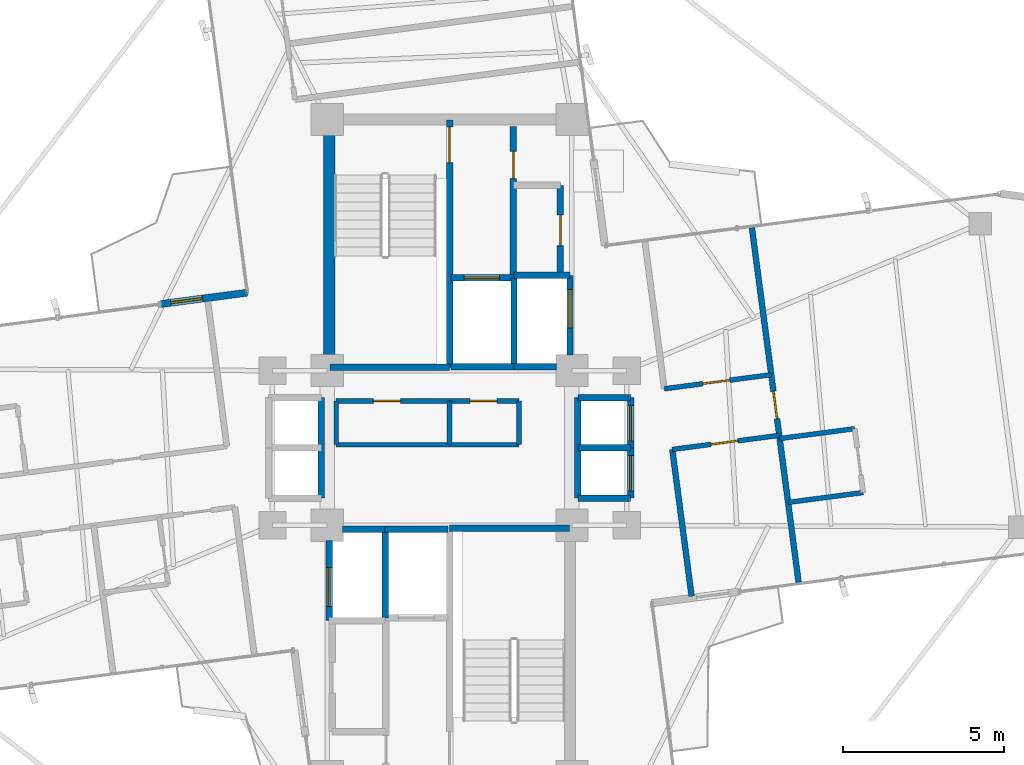
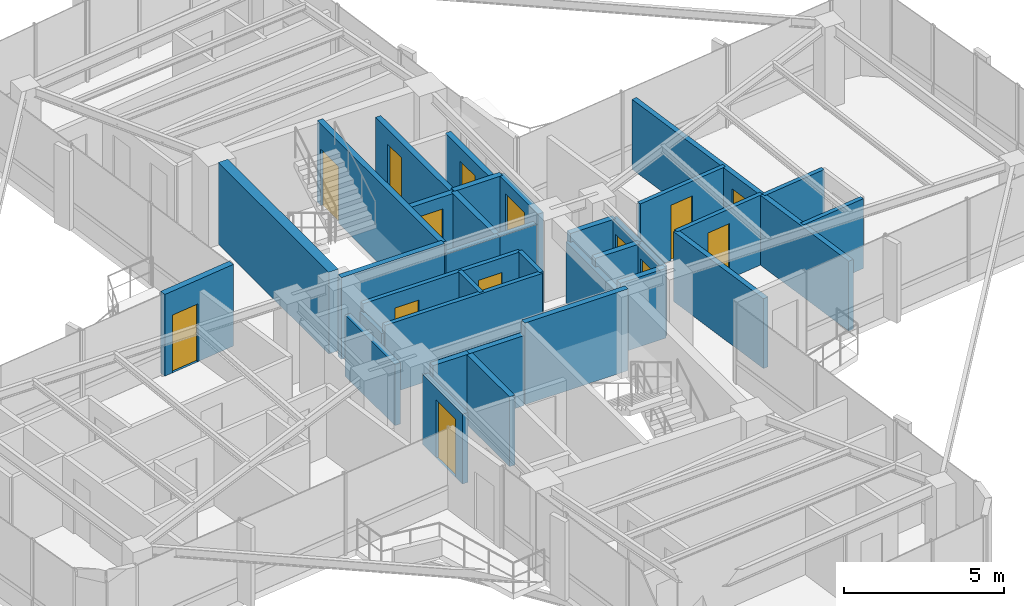
# One storey, part 20 of 22: 35 walls, 14 doors, 14 openings.
"""IFC4 building model written with IfcOpenShell, lengths in metres."""

from ifc_helpers import new_model, si_unit, direction, frame, frame_2d, origin, origin_2d, place, context, subcontext, project, spatial, rectangle, extrude, source, transform, mapped, material, layer, layer_set, type_object, element, fill, save


model = new_model("IFC4")

# Units and contexts
model_context = context("Model", 3, precision=1e-05, world=origin(), true_north=direction((0.0, 1.0)))
body_context = subcontext(model_context, "Body", "Model", "MODEL_VIEW")
ifc_project = project(units=[si_unit("LENGTHUNIT", "METRE"), si_unit("AREAUNIT", "SQUARE_METRE"), si_unit("VOLUMEUNIT", "CUBIC_METRE"), si_unit("PLANEANGLEUNIT", "RADIAN"), si_unit("MASSUNIT", "GRAM", prefix="KILO")], contexts=[model_context])

# Site, building, storey
site_placement = place(None, origin())
site = spatial("IfcSite", under=ifc_project, at=site_placement, CompositionType="ELEMENT")
building_placement = place(site_placement, origin())
building = spatial("IfcBuilding", under=site, at=building_placement, Name="Sahyath Konkavel Grand Hotel", CompositionType="ELEMENT")
storey_placement = place(building_placement, frame((0.0, 0.0, 257.89990234375)))
storey = spatial("IfcBuildingStorey", under=building, at=storey_placement, Name="L72", CompositionType="ELEMENT", Elevation=257.89990234375)

# Wall
ifc_material_1 = material(Name="Concrete C40/50", Category="concrete")
ifc_layer_1 = layer(ifc_material_1, 0.35009765625)
ifc_layer_set_1 = layer_set([ifc_layer_1], Name="Concrete C40/50")
wall_type_1 = type_object("IfcWallType", Name="CWALL-350", PredefinedType="SHEAR", material=ifc_layer_set_1)
wall_1_placement = place(storey_placement, frame((-3.739990234375, 2.85009765625, 0.0), z_axis=(0.0, 0.0, 1.0), x_axis=(0.0, 1.0, 0.0)))
element("IfcWall", 1, at=wall_1_placement, inside=storey, type_object=wall_type_1, Name="L72 North Core Shear Wall W", PredefinedType="SHEAR", context=body_context, shape_type="SweptSolid", body=[
    extrude(rectangle(XDim=6.89990234375, YDim=0.35009765625, at=frame_2d((3.449951171875, 0.0))), origin(), (0.0, 0.0, 1.0), 3.110107421875),
])

# Wall, opening, door
ifc_material_2 = material(Name="Warm Buff Sandstone Insulated Concrete C40/50", Category="masonry")
ifc_layer_2 = layer(ifc_material_2, 0.219970703125)
ifc_layer_set_2 = layer_set([ifc_layer_2], Name="Warm Buff Sandstone Insulated Concrete C40/50")
wall_type_2 = type_object("IfcWallType", Name="WLL-BALC-THRESH", PredefinedType="STANDARD", material=ifc_layer_set_2)
wall_2_placement = place(storey_placement, frame((-6.282958984375, 4.821044921875, 0.0), z_axis=(0.0, 0.0, 1.0), x_axis=(-0.991451525486, -0.130475563272, 0.0)))
wall_2 = element("IfcWall", 2, at=wall_2_placement, inside=storey, type_object=wall_type_2, Name="L72 Winter-Garden Threshold Wall 16", PredefinedType="STANDARD", context=body_context, shape_type="SweptSolid", body=[
    extrude(rectangle(XDim=2.7001953125, YDim=0.219970703125, at=frame_2d((1.35009765625, 0.0))), origin(), (0.0, 0.0, 1.0), 3.110107421875),
])
opening_1_placement = place(wall_2_placement, frame((1.39990234375, 0.0, 0.0)))
opening_1 = element("IfcOpeningElement", 3, at=opening_1_placement, cuts=wall_2, Name="Opening D-TR1", PredefinedType="OPENING", context=body_context, shape_type="SweptSolid", body=[
    extrude(rectangle(XDim=1.0, YDim=2.199951171875, at=frame_2d((0.5, 1.10009765625))), frame((0.0, 0.1201171875, 0.0), z_axis=(0.0, -1.0, 0.0), x_axis=(1.0, 0.0, 0.0)), (0.0, 0.0, 1.0), 0.239990234375),
])
ifc_material_3 = material(Name="Anodised Bronze Aluminium & Low-E Glazing", Category="aluminium")
door_type_1 = type_object("IfcDoorType", Name="DR-TERRACE-1000", OperationType="NOTDEFINED", PredefinedType="DOOR", material=ifc_material_3)
shared_shape_1 = source(origin(), body_context, "Body", "SweptSolid", [
    extrude(rectangle(XDim=1.0, YDim=0.050048828125, at=origin_2d()), origin(), (0.0, 0.0, 1.0), 2.199951171875),
])
door_1_placement = place(opening_1_placement, frame((0.5, 0.0, 0.0)))
door_1 = element("IfcDoor", 4, at=door_1_placement, inside=storey, type_object=door_type_1, Name="L72 Winter-Garden Terrace Door 16", OperationType="SINGLE_SWING_LEFT", OverallHeight=2.199951171875, OverallWidth=1.0, PredefinedType="DOOR", context=body_context, shape_type="MappedRepresentation", body=[
    mapped(shared_shape_1, transform((0.0, 0.0, 0.0), scale=1.0)),
])
fill(opening_1, door_1)

ifc_layer_3 = layer(ifc_material_1, 0.199951171875)
ifc_layer_set_3 = layer_set([ifc_layer_3], Name="Concrete C40/50")
wall_type_3 = type_object("IfcWallType", Name="WLL-CORE-200", PredefinedType="SOLIDWALL", material=ifc_layer_set_3)
wall_3_placement = place(storey_placement, frame((0.0, 2.5, 0.0), z_axis=(0.0, 0.0, 1.0), x_axis=(0.0, 1.0, 0.0)))
wall_3 = element("IfcWall", 5, at=wall_3_placement, inside=storey, type_object=wall_type_3, Name="L72 Stair ST-1 Shaft Wall E", PredefinedType="SOLIDWALL", context=body_context, shape_type="SweptSolid", body=[
    extrude(rectangle(XDim=7.679931640625, YDim=0.199951171875, at=frame_2d((3.83984375, 0.0))), origin(), (0.0, 0.0, 1.0), 3.110107421875),
])
opening_2_placement = place(wall_3_placement, frame((6.360107421875, 0.0, 0.0)))
opening_2 = element("IfcOpeningElement", 6, at=opening_2_placement, cuts=wall_3, Name="Opening D-F12B", PredefinedType="OPENING", context=body_context, shape_type="SweptSolid", body=[
    extrude(rectangle(XDim=1.10009765625, YDim=2.14990234375, at=frame_2d((0.550048828125, 1.074951171875))), frame((0.0, 0.10986328125, 0.0), z_axis=(0.0, -1.0, 0.0), x_axis=(1.0, 0.0, 0.0)), (0.0, 0.0, 1.0), 0.219970703125),
])
ifc_material_4 = material(Name="Steel E350 Smokeproof Fire Door", Category="steel")
door_type_2 = type_object("IfcDoorType", Name="DR-FD120-1100", OperationType="NOTDEFINED", PredefinedType="DOOR", material=ifc_material_4)
shared_shape_2 = source(origin(), body_context, "Body", "SweptSolid", [
    extrude(rectangle(XDim=1.10009765625, YDim=0.050048828125, at=origin_2d()), origin(), (0.0, 0.0, 1.0), 2.14990234375),
])
door_2_placement = place(opening_2_placement, frame((0.550048828125, 0.0, 0.0)))
door_2 = element("IfcDoor", 7, at=door_2_placement, inside=storey, type_object=door_type_2, Name="L72 Stair ST-1 Fire Door", OperationType="SINGLE_SWING_RIGHT", OverallHeight=2.14990234375, OverallWidth=1.10009765625, PredefinedType="DOOR", context=body_context, shape_type="MappedRepresentation", body=[
    mapped(shared_shape_2, transform((0.0, 0.0, 0.0), scale=1.0)),
])
fill(opening_2, door_2)

# Walls
for number, where, z_axis, x_axis, name in (
    (8, (-3.719970703125, 2.5, 0.0), (0.0, 0.0, 1.0), (1.0, 0.0, 0.0), "L72 Stair ST-1 Shaft Wall S"),
    (9, (0.0, -2.5, 0.0), (0.0, 0.0, 1.0), (1.0, 0.0, 0.0), "L72 Stair ST-2 Shaft Wall N"),
):
    element("IfcWall", number, at=place(storey_placement, frame(where, z_axis=z_axis, x_axis=x_axis)), inside=storey, type_object=wall_type_3, Name=name, PredefinedType="SOLIDWALL", context=body_context, shape_type="SweptSolid", body=[
        extrude(rectangle(XDim=3.719970703125, YDim=0.199951171875, at=frame_2d((1.85986328125, 0.0))), origin(), (0.0, 0.0, 1.0), 3.110107421875),
    ])

# Wall, opening, door
wall_4_placement = place(storey_placement, frame((1.97998046875, 5.320068359375, 0.0), z_axis=(0.0, 0.0, 1.0), x_axis=(0.0, 1.0, 0.0)))
wall_4 = element("IfcWall", 10, at=wall_4_placement, inside=storey, type_object=wall_type_3, Name="L72 North Firefighting Lobby Wall E", PredefinedType="SOLIDWALL", context=body_context, shape_type="SweptSolid", body=[
    extrude(rectangle(XDim=4.659912109375, YDim=0.199951171875, at=frame_2d((2.330078125, 0.0))), origin(), (0.0, 0.0, 1.0), 2.66015625),
])
opening_3_placement = place(wall_4_placement, frame((3.0400390625, 0.0, 0.0)))
opening_3 = element("IfcOpeningElement", 11, at=opening_3_placement, cuts=wall_4, Name="Opening D-F12D", PredefinedType="OPENING", context=body_context, shape_type="SweptSolid", body=[
    extrude(rectangle(XDim=0.85009765625, YDim=2.10009765625, at=frame_2d((0.425048828125, 1.050048828125))), frame((0.0, 0.10986328125, 0.0), z_axis=(0.0, -1.0, 0.0), x_axis=(1.0, 0.0, 0.0)), (0.0, 0.0, 1.0), 0.219970703125),
])
ifc_material_5 = material(Name="Steel E350 Core Fire Door", Category="steel")
door_type_3 = type_object("IfcDoorType", Name="DR-FD120-850", OperationType="NOTDEFINED", PredefinedType="DOOR", material=ifc_material_5)
shared_shape_3 = source(origin(), body_context, "Body", "SweptSolid", [
    extrude(rectangle(XDim=0.85009765625, YDim=0.050048828125, at=origin_2d()), origin(), (0.0, 0.0, 1.0), 2.10009765625),
])
door_3_placement = place(opening_3_placement, frame((0.425048828125, 0.0, 0.0)))
door_3 = element("IfcDoor", 12, at=door_3_placement, inside=storey, type_object=door_type_3, Name="L72 North Firefighting Lobby Door", OperationType="SINGLE_SWING_RIGHT", OverallHeight=2.10009765625, OverallWidth=0.85009765625, PredefinedType="DOOR", context=body_context, shape_type="MappedRepresentation", body=[
    mapped(shared_shape_3, transform((0.0, 0.0, 0.0), scale=1.0)),
])
fill(opening_3, door_3)

# Walls
wall_5_placement = place(storey_placement, frame((2.0, 2.5, 0.0), z_axis=(0.0, 0.0, 1.0), x_axis=(0.0, 1.0, 0.0)))
element("IfcWall", 13, at=wall_5_placement, inside=storey, type_object=wall_type_3, Name="L72 Partition SH-FFL1-E", PredefinedType="SOLIDWALL", context=body_context, shape_type="SweptSolid", body=[
    extrude(rectangle(XDim=2.780029296875, YDim=0.199951171875, at=frame_2d((1.39013671875, 0.0))), origin(), (0.0, 0.0, 1.0), 2.66015625),
])
wall_6_placement = place(storey_placement, frame((0.050048828125, 2.52001953125, 0.0), z_axis=(0.0, 0.0, 1.0), x_axis=(1.0, 0.0, 0.0)))
element("IfcWall", 14, at=wall_6_placement, inside=storey, type_object=wall_type_3, Name="L72 Partition SH-FFL1-S", PredefinedType="SOLIDWALL", context=body_context, shape_type="SweptSolid", body=[
    extrude(rectangle(XDim=1.949951171875, YDim=0.199951171875, at=frame_2d((0.97509765625, 0.0))), origin(), (0.0, 0.0, 1.0), 2.66015625),
])

# Wall, opening, door
wall_7_placement = place(storey_placement, frame((0.050048828125, 5.280029296875, 0.0), z_axis=(0.0, 0.0, 1.0), x_axis=(1.0, 0.0, 0.0)))
wall_7 = element("IfcWall", 15, at=wall_7_placement, inside=storey, type_object=wall_type_3, Name="L72 Partition SH-FFL1-N", PredefinedType="SOLIDWALL", context=body_context, shape_type="SweptSolid", body=[
    extrude(rectangle(XDim=1.929931640625, YDim=0.199951171875, at=frame_2d((0.96484375, 0.0))), origin(), (0.0, 0.0, 1.0), 2.66015625),
])
opening_4_placement = place(wall_7_placement, frame((0.39990234375, 0.0, 0.0)))
opening_4 = element("IfcOpeningElement", 16, at=opening_4_placement, cuts=wall_7, Name="Opening LD-11", PredefinedType="OPENING", context=body_context, shape_type="SweptSolid", body=[
    extrude(rectangle(XDim=1.10009765625, YDim=2.199951171875, at=frame_2d((0.550048828125, 1.10009765625))), frame((0.0, 0.10986328125, 0.0), z_axis=(0.0, -1.0, 0.0), x_axis=(1.0, 0.0, 0.0)), (0.0, 0.0, 1.0), 0.219970703125),
])
ifc_material_6 = material(Name="Bronze Lift Landing Door 1100")
door_type_4 = type_object("IfcDoorType", Name="DR-LIFT-1100", OperationType="DOUBLE_DOOR_SLIDING", PredefinedType="DOOR", material=ifc_material_6)
shared_shape_4 = source(origin(), body_context, "Body", "SweptSolid", [
    extrude(rectangle(XDim=1.10009765625, YDim=0.050048828125, at=origin_2d()), origin(), (0.0, 0.0, 1.0), 2.199951171875),
])
door_4_placement = place(opening_4_placement, frame((0.550048828125, 0.0, 0.0)))
door_4 = element("IfcDoor", 17, at=door_4_placement, inside=storey, type_object=door_type_4, Name="L72 Lift FFL-1 Landing Door", OperationType="DOUBLE_DOOR_SLIDING", OverallHeight=2.199951171875, OverallWidth=1.10009765625, PredefinedType="DOOR", context=body_context, shape_type="MappedRepresentation", body=[
    mapped(shared_shape_4, transform((0.0, 0.0, 0.0), scale=1.0)),
])
fill(opening_4, door_4)

# Walls
wall_8_placement = place(storey_placement, frame((-2.0, -5.280029296875, 0.0), z_axis=(0.0, 0.0, 1.0), x_axis=(0.0, 1.0, 0.0)))
element("IfcWall", 18, at=wall_8_placement, inside=storey, type_object=wall_type_3, Name="L72 Partition SH-FFL2-W", PredefinedType="SOLIDWALL", context=body_context, shape_type="SweptSolid", body=[
    extrude(rectangle(XDim=2.780029296875, YDim=0.199951171875, at=frame_2d((1.39013671875, 0.0))), origin(), (0.0, 0.0, 1.0), 2.66015625),
])
wall_9_placement = place(storey_placement, frame((-2.0, -2.52001953125, 0.0), z_axis=(0.0, 0.0, 1.0), x_axis=(1.0, 0.0, 0.0)))
element("IfcWall", 19, at=wall_9_placement, inside=storey, type_object=wall_type_3, Name="L72 Partition SH-FFL2-N", PredefinedType="SOLIDWALL", context=body_context, shape_type="SweptSolid", body=[
    extrude(rectangle(XDim=1.949951171875, YDim=0.199951171875, at=frame_2d((0.97509765625, 0.0))), origin(), (0.0, 0.0, 1.0), 2.66015625),
])
wall_10_placement = place(storey_placement, frame((2.0, 2.52001953125, 0.0), z_axis=(0.0, 0.0, 1.0), x_axis=(1.0, 0.0, 0.0)))
element("IfcWall", 20, at=wall_10_placement, inside=storey, type_object=wall_type_3, Name="L72 Partition SH-SVL1-S", PredefinedType="SOLIDWALL", context=body_context, shape_type="SweptSolid", body=[
    extrude(rectangle(XDim=1.320068359375, YDim=0.199951171875, at=frame_2d((0.66015625, 0.0))), origin(), (0.0, 0.0, 1.0), 2.66015625),
])
wall_11_placement = place(storey_placement, frame((2.0, 5.360107421875, 0.0), z_axis=(0.0, 0.0, 1.0), x_axis=(1.0, 0.0, 0.0)))
element("IfcWall", 21, at=wall_11_placement, inside=storey, type_object=wall_type_3, Name="L72 Partition SH-SVL1-N", PredefinedType="SOLIDWALL", context=body_context, shape_type="SweptSolid", body=[
    extrude(rectangle(XDim=1.739990234375, YDim=0.199951171875, at=frame_2d((0.8701171875, 0.0))), origin(), (0.0, 0.0, 1.0), 2.66015625),
])

# Wall, opening, door
wall_12_placement = place(storey_placement, frame((3.739990234375, 2.8798828125, 0.0), z_axis=(0.0, 0.0, 1.0), x_axis=(0.0, 1.0, 0.0)))
wall_12 = element("IfcWall", 22, at=wall_12_placement, inside=storey, type_object=wall_type_3, Name="L72 Partition SH-SVL1-E", PredefinedType="SOLIDWALL", context=body_context, shape_type="SweptSolid", body=[
    extrude(rectangle(XDim=2.480224609375, YDim=0.199951171875, at=frame_2d((1.240234375, 0.0))), origin(), (0.0, 0.0, 1.0), 2.66015625),
])
opening_5_placement = place(wall_12_placement, frame((0.840087890625, 0.0, 0.0)))
opening_5 = element("IfcOpeningElement", 23, at=opening_5_placement, cuts=wall_12, Name="Opening LD-12", PredefinedType="OPENING", context=body_context, shape_type="SweptSolid", body=[
    extrude(rectangle(XDim=1.199951171875, YDim=2.199951171875, at=frame_2d((0.60009765625, 1.10009765625))), frame((0.0, 0.10986328125, 0.0), z_axis=(0.0, -1.0, 0.0), x_axis=(1.0, 0.0, 0.0)), (0.0, 0.0, 1.0), 0.219970703125),
])
ifc_material_7 = material(Name="Stainless Steel Lift Landing Door 1200", Category="steel")
door_type_5 = type_object("IfcDoorType", Name="DR-LIFT-1200", OperationType="DOUBLE_DOOR_SLIDING", PredefinedType="DOOR", material=ifc_material_7)
shared_shape_5 = source(origin(), body_context, "Body", "SweptSolid", [
    extrude(rectangle(XDim=1.199951171875, YDim=0.050048828125, at=origin_2d()), origin(), (0.0, 0.0, 1.0), 2.199951171875),
])
door_5_placement = place(opening_5_placement, frame((0.60009765625, 0.0, 0.0)))
door_5 = element("IfcDoor", 24, at=door_5_placement, inside=storey, type_object=door_type_5, Name="L72 Service Lift SVL-1 Landing Door", OperationType="DOUBLE_DOOR_SLIDING", OverallHeight=2.199951171875, OverallWidth=1.199951171875, PredefinedType="DOOR", context=body_context, shape_type="MappedRepresentation", body=[
    mapped(shared_shape_5, transform((0.0, 0.0, 0.0), scale=1.0)),
])
fill(opening_5, door_5)

# Wall
wall_13_placement = place(storey_placement, frame((-3.320068359375, -2.52001953125, 0.0), z_axis=(0.0, 0.0, 1.0), x_axis=(1.0, 0.0, 0.0)))
element("IfcWall", 25, at=wall_13_placement, inside=storey, type_object=wall_type_3, Name="L72 Partition SH-SVL2-N", PredefinedType="SOLIDWALL", context=body_context, shape_type="SweptSolid", body=[
    extrude(rectangle(XDim=1.320068359375, YDim=0.199951171875, at=frame_2d((0.66015625, 0.0))), origin(), (0.0, 0.0, 1.0), 2.66015625),
])

# Wall, opening, door
wall_14_placement = place(storey_placement, frame((-3.739990234375, -5.360107421875, 0.0), z_axis=(0.0, 0.0, 1.0), x_axis=(0.0, 1.0, 0.0)))
wall_14 = element("IfcWall", 26, at=wall_14_placement, inside=storey, type_object=wall_type_3, Name="L72 Partition SH-SVL2-W", PredefinedType="SOLIDWALL", context=body_context, shape_type="SweptSolid", body=[
    extrude(rectangle(XDim=2.480224609375, YDim=0.199951171875, at=frame_2d((1.240234375, 0.0))), origin(), (0.0, 0.0, 1.0), 2.66015625),
])
opening_6_placement = place(wall_14_placement, frame((0.43994140625, 0.0, 0.0)))
opening_6 = element("IfcOpeningElement", 27, at=opening_6_placement, cuts=wall_14, Name="Opening LD-12", PredefinedType="OPENING", context=body_context, shape_type="SweptSolid", body=[
    extrude(rectangle(XDim=1.199951171875, YDim=2.199951171875, at=frame_2d((0.60009765625, 1.10009765625))), frame((0.0, 0.10986328125, 0.0), z_axis=(0.0, -1.0, 0.0), x_axis=(1.0, 0.0, 0.0)), (0.0, 0.0, 1.0), 0.219970703125),
])
door_6_placement = place(opening_6_placement, frame((0.60009765625, 0.0, 0.0)))
door_6 = element("IfcDoor", 28, at=door_6_placement, inside=storey, type_object=door_type_5, Name="L72 Service Lift SVL-2 Landing Door", OperationType="DOUBLE_DOOR_SLIDING", OverallHeight=2.199951171875, OverallWidth=1.199951171875, PredefinedType="DOOR", context=body_context, shape_type="MappedRepresentation", body=[
    mapped(shared_shape_5, transform((0.0, 0.0, 0.0), scale=1.0)),
])
fill(opening_6, door_6)

# Walls
wall_15_placement = place(storey_placement, frame((3.97998046875, -1.56005859375, 0.0), z_axis=(0.0, 0.0, 1.0), x_axis=(0.0, 1.0, 0.0)))
element("IfcWall", 29, at=wall_15_placement, inside=storey, type_object=wall_type_3, Name="L72 Partition SH-PL56-W", PredefinedType="SOLIDWALL", context=body_context, shape_type="SweptSolid", body=[
    extrude(rectangle(XDim=3.1201171875, YDim=0.199951171875, at=frame_2d((1.56005859375, 0.0))), origin(), (0.0, 0.0, 1.0), 2.330078125),
])
for number, where, z_axis, x_axis, name in (
    (30, (3.97998046875, 1.56005859375, 0.0), (0.0, 0.0, 1.0), (1.0, 0.0, 0.0), "L72 Partition SH-PL56-N"),
    (31, (3.97998046875, -1.56005859375, 0.0), (0.0, 0.0, 1.0), (1.0, 0.0, 0.0), "L72 Partition SH-PL56-S"),
    (32, (3.97998046875, 0.0, 0.0), (0.0, 0.0, 1.0), (1.0, 0.0, 0.0), "L72 Partition SH-PL56-M"),
):
    element("IfcWall", number, at=place(storey_placement, frame(where, z_axis=z_axis, x_axis=x_axis)), inside=storey, type_object=wall_type_3, Name=name, PredefinedType="SOLIDWALL", context=body_context, shape_type="SweptSolid", body=[
        extrude(rectangle(XDim=1.64013671875, YDim=0.199951171875, at=frame_2d((0.820068359375, 0.0))), origin(), (0.0, 0.0, 1.0), 2.66015625),
    ])

# Wall, opening, door
wall_16_placement = place(storey_placement, frame((5.6201171875, 0.0, 0.0), z_axis=(0.0, 0.0, 1.0), x_axis=(0.0, 1.0, 0.0)))
wall_16 = element("IfcWall", 33, at=wall_16_placement, inside=storey, type_object=wall_type_3, Name="L72 Partition SH-PL5-E", PredefinedType="SOLIDWALL", context=body_context, shape_type="SweptSolid", body=[
    extrude(rectangle(XDim=1.56005859375, YDim=0.199951171875, at=frame_2d((0.780029296875, 0.0))), origin(), (0.0, 0.0, 1.0), 2.66015625),
])
opening_7_placement = place(wall_16_placement, frame((0.219970703125, 0.0, 0.0)))
opening_7 = element("IfcOpeningElement", 34, at=opening_7_placement, cuts=wall_16, Name="Opening LD-11", PredefinedType="OPENING", context=body_context, shape_type="SweptSolid", body=[
    extrude(rectangle(XDim=1.10009765625, YDim=2.199951171875, at=frame_2d((0.550048828125, 1.10009765625))), frame((0.0, 0.10986328125, 0.0), z_axis=(0.0, -1.0, 0.0), x_axis=(1.0, 0.0, 0.0)), (0.0, 0.0, 1.0), 0.219970703125),
])
door_7_placement = place(opening_7_placement, frame((0.550048828125, 0.0, 0.0)))
door_7 = element("IfcDoor", 35, at=door_7_placement, inside=storey, type_object=door_type_4, Name="L72 High-Rise Lift PL-5 Landing Door", OperationType="DOUBLE_DOOR_SLIDING", OverallHeight=2.199951171875, OverallWidth=1.10009765625, PredefinedType="DOOR", context=body_context, shape_type="MappedRepresentation", body=[
    mapped(shared_shape_4, transform((0.0, 0.0, 0.0), scale=1.0)),
])
fill(opening_7, door_7)

wall_17_placement = place(storey_placement, frame((5.6201171875, -1.56005859375, 0.0), z_axis=(0.0, 0.0, 1.0), x_axis=(0.0, 1.0, 0.0)))
wall_17 = element("IfcWall", 36, at=wall_17_placement, inside=storey, type_object=wall_type_3, Name="L72 Partition SH-PL6-E", PredefinedType="SOLIDWALL", context=body_context, shape_type="SweptSolid", body=[
    extrude(rectangle(XDim=1.56005859375, YDim=0.199951171875, at=frame_2d((0.780029296875, 0.0))), origin(), (0.0, 0.0, 1.0), 2.66015625),
])
opening_8_placement = place(wall_17_placement, frame((0.219970703125, 0.0, 0.0)))
opening_8 = element("IfcOpeningElement", 37, at=opening_8_placement, cuts=wall_17, Name="Opening LD-11", PredefinedType="OPENING", context=body_context, shape_type="SweptSolid", body=[
    extrude(rectangle(XDim=1.10009765625, YDim=2.199951171875, at=frame_2d((0.550048828125, 1.10009765625))), frame((0.0, 0.10986328125, 0.0), z_axis=(0.0, -1.0, 0.0), x_axis=(1.0, 0.0, 0.0)), (0.0, 0.0, 1.0), 0.219970703125),
])
door_8_placement = place(opening_8_placement, frame((0.550048828125, 0.0, 0.0)))
door_8 = element("IfcDoor", 38, at=door_8_placement, inside=storey, type_object=door_type_4, Name="L72 High-Rise Lift PL-6 Landing Door", OperationType="DOUBLE_DOOR_SLIDING", OverallHeight=2.199951171875, OverallWidth=1.10009765625, PredefinedType="DOOR", context=body_context, shape_type="MappedRepresentation", body=[
    mapped(shared_shape_4, transform((0.0, 0.0, 0.0), scale=1.0)),
])
fill(opening_8, door_8)

# Wall
wall_18_placement = place(storey_placement, frame((-3.97998046875, -1.56005859375, 0.0), z_axis=(0.0, 0.0, 1.0), x_axis=(0.0, 1.0, 0.0)))
element("IfcWall", 39, at=wall_18_placement, inside=storey, type_object=wall_type_3, Name="L72 Partition SH-SL12-E", PredefinedType="SOLIDWALL", context=body_context, shape_type="SweptSolid", body=[
    extrude(rectangle(XDim=3.1201171875, YDim=0.199951171875, at=frame_2d((1.56005859375, 0.0))), origin(), (0.0, 0.0, 1.0), 2.330078125),
])

# Wall, opening, door
wall_19_placement = place(storey_placement, frame((3.43994140625, 5.3798828125, 0.0), z_axis=(0.0, 0.0, 1.0), x_axis=(0.0, 1.0, 0.0)))
wall_19 = element("IfcWall", 40, at=wall_19_placement, inside=storey, type_object=wall_type_3, Name="L72 Reclaimed North Core Wall E", PredefinedType="SOLIDWALL", context=body_context, shape_type="SweptSolid", body=[
    extrude(rectangle(XDim=2.77001953125, YDim=0.199951171875, at=frame_2d((1.385009765625, 0.0))), origin(), (0.0, 0.0, 1.0), 2.66015625),
])
opening_9_placement = place(wall_19_placement, frame((0.89990234375, 0.0, 0.0)))
opening_9 = element("IfcOpeningElement", 41, at=opening_9_placement, cuts=wall_19, Name="Opening D-F06B", PredefinedType="OPENING", context=body_context, shape_type="SweptSolid", body=[
    extrude(rectangle(XDim=0.949951171875, YDim=2.14990234375, at=frame_2d((0.47509765625, 1.074951171875))), frame((0.0, 0.10986328125, 0.0), z_axis=(0.0, -1.0, 0.0), x_axis=(1.0, 0.0, 0.0)), (0.0, 0.0, 1.0), 0.219970703125),
])
ifc_material_8 = material(Name="Teak Veneer Fire-Rated Guest Entrance Door")
door_type_6 = type_object("IfcDoorType", Name="DR-FD60-950", OperationType="NOTDEFINED", PredefinedType="DOOR", material=ifc_material_8)
shared_shape_6 = source(origin(), body_context, "Body", "SweptSolid", [
    extrude(rectangle(XDim=0.949951171875, YDim=0.050048828125, at=origin_2d()), origin(), (0.0, 0.0, 1.0), 2.14990234375),
])
door_9_placement = place(opening_9_placement, frame((0.47509765625, 0.0, 0.0)))
door_9 = element("IfcDoor", 42, at=door_9_placement, inside=storey, type_object=door_type_6, Name="L72 Door NC-REC1-D", OperationType="SINGLE_SWING_RIGHT", OverallHeight=2.14990234375, OverallWidth=0.949951171875, PredefinedType="DOOR", context=body_context, shape_type="MappedRepresentation", body=[
    mapped(shared_shape_6, transform((0.0, 0.0, 0.0), scale=1.0)),
])
fill(opening_9, door_9)

# Wall
ifc_material_9 = material(Name="Twin-Stud Acoustic Gypsum Plasterboard Partition")
ifc_layer_4 = layer(ifc_material_9, 0.179931640625)
ifc_layer_set_4 = layer_set([ifc_layer_4], Name="Twin-Stud Acoustic Gypsum Plasterboard Partition")
wall_type_4 = type_object("IfcWallType", Name="WLL-DEMISE-180", PredefinedType="PARTITIONING", material=ifc_layer_set_4)
wall_20_placement = place(storey_placement, frame((7.515869140625, -4.6083984375, 0.0), z_axis=(0.0, 0.0, 1.0), x_axis=(-0.130564346904, 0.991439837467, 0.0)))
element("IfcWall", 43, at=wall_20_placement, inside=storey, type_object=wall_type_4, Name="L72 Partition E-INR", PredefinedType="PARTITIONING", context=body_context, shape_type="SweptSolid", body=[
    extrude(rectangle(XDim=4.599853515625, YDim=0.179931640625, at=frame_2d((2.2998046875, 0.0))), origin(), (0.0, 0.0, 1.0), 2.66015625),
])

# Wall, opening, door
wall_21_placement = place(storey_placement, frame((10.837158203125, -4.171142578125, 0.0), z_axis=(0.0, 0.0, 1.0), x_axis=(-0.130537009991, 0.991443437127, 0.0)))
wall_21 = element("IfcWall", 44, at=wall_21_placement, inside=storey, type_object=wall_type_4, Name="L72 Partition E-ETIP-END", PredefinedType="PARTITIONING", context=body_context, shape_type="SweptSolid", body=[
    extrude(rectangle(XDim=11.10009765625, YDim=0.179931640625, at=frame_2d((5.550048828125, 0.0))), origin(), (0.0, 0.0, 1.0), 2.66015625),
])
opening_10_placement = place(wall_21_placement, frame((5.125, 0.0, 0.0)))
opening_10 = element("IfcOpeningElement", 45, at=opening_10_placement, cuts=wall_21, Name="Opening D-F06D", PredefinedType="OPENING", context=body_context, shape_type="SweptSolid", body=[
    extrude(rectangle(XDim=0.85009765625, YDim=2.10009765625, at=frame_2d((0.425048828125, 1.050048828125))), frame((0.0, 0.10009765625, 0.0), z_axis=(0.0, -1.0, 0.0), x_axis=(1.0, 0.0, 0.0)), (0.0, 0.0, 1.0), 0.199951171875),
])
ifc_material_10 = material(Name="Fire-Rated Shaft Access Door")
door_type_7 = type_object("IfcDoorType", Name="DR-FD60-850", OperationType="NOTDEFINED", PredefinedType="DOOR", material=ifc_material_10)
door_10_placement = place(opening_10_placement, frame((0.425048828125, 0.0, 0.0)))
door_10 = element("IfcDoor", 46, at=door_10_placement, inside=storey, type_object=door_type_7, Name="L72 Door E-ETIP-ED", OperationType="SINGLE_SWING_LEFT", OverallHeight=2.10009765625, OverallWidth=0.85009765625, PredefinedType="DOOR", context=body_context, shape_type="MappedRepresentation", body=[
    mapped(shared_shape_3, transform((0.0, 0.0, 0.0), scale=1.0)),
])
fill(opening_10, door_10)

# Wall
ifc_material_11 = material(Name="Fire-Rated Gypsum Plasterboard Partition")
ifc_layer_5 = layer(ifc_material_11, 0.14990234375)
ifc_layer_set_5 = layer_set([ifc_layer_5], Name="Fire-Rated Gypsum Plasterboard Partition")
wall_type_5 = type_object("IfcWallType", Name="WLL-PART-150", PredefinedType="PARTITIONING", material=ifc_layer_set_5)
wall_22_placement = place(storey_placement, frame((-3.52001953125, 0.10009765625, 0.0), z_axis=(0.0, 0.0, 1.0), x_axis=(1.0, 0.0, 0.0)))
element("IfcWall", 47, at=wall_22_placement, inside=storey, type_object=wall_type_5, Name="L72 Partition CC-S0-FIX", PredefinedType="PARTITIONING", context=body_context, shape_type="SweptSolid", body=[
    extrude(rectangle(XDim=5.679931640625, YDim=0.14990234375, at=frame_2d((2.83984375, 0.0))), origin(), (0.0, 0.0, 1.0), 2.66015625),
])

# Wall, openings, doors
wall_23_placement = place(storey_placement, frame((-3.52001953125, 1.4599609375, 0.0), z_axis=(0.0, 0.0, 1.0), x_axis=(1.0, 0.0, 0.0)))
wall_23 = element("IfcWall", 48, at=wall_23_placement, inside=storey, type_object=wall_type_5, Name="L72 Partition CC-N0", PredefinedType="PARTITIONING", context=body_context, shape_type="SweptSolid", body=[
    extrude(rectangle(XDim=5.679931640625, YDim=0.14990234375, at=frame_2d((2.83984375, 0.0))), origin(), (0.0, 0.0, 1.0), 2.66015625),
])
opening_11_placement = place(wall_23_placement, frame((1.14990234375, 0.0, 0.0)))
opening_11 = element("IfcOpeningElement", 49, at=opening_11_placement, cuts=wall_23, Name="Opening D-F06D", PredefinedType="OPENING", context=body_context, shape_type="SweptSolid", body=[
    extrude(rectangle(XDim=0.85009765625, YDim=2.10009765625, at=frame_2d((0.425048828125, 1.050048828125))), frame((0.0, 0.0849609375, 0.0), z_axis=(0.0, -1.0, 0.0), x_axis=(1.0, 0.0, 0.0)), (0.0, 0.0, 1.0), 0.169921875),
])
opening_12_placement = place(wall_23_placement, frame((4.14990234375, 0.0, 0.0)))
opening_12 = element("IfcOpeningElement", 50, at=opening_12_placement, cuts=wall_23, Name="Opening D-F06D", PredefinedType="OPENING", context=body_context, shape_type="SweptSolid", body=[
    extrude(rectangle(XDim=0.85009765625, YDim=2.10009765625, at=frame_2d((0.425048828125, 1.050048828125))), frame((0.0, 0.0849609375, 0.0), z_axis=(0.0, -1.0, 0.0), x_axis=(1.0, 0.0, 0.0)), (0.0, 0.0, 1.0), 0.169921875),
])
door_11_placement = place(opening_11_placement, frame((0.425048828125, 0.0, 0.0)))
door_11 = element("IfcDoor", 51, at=door_11_placement, inside=storey, type_object=door_type_7, Name="L72 Door CC-D0A", OperationType="SINGLE_SWING_RIGHT", OverallHeight=2.10009765625, OverallWidth=0.85009765625, PredefinedType="DOOR", context=body_context, shape_type="MappedRepresentation", body=[
    mapped(shared_shape_3, transform((0.0, 0.0, 0.0), scale=1.0)),
])
fill(opening_11, door_11)
door_12_placement = place(opening_12_placement, frame((0.425048828125, 0.0, 0.0)))
door_12 = element("IfcDoor", 52, at=door_12_placement, inside=storey, type_object=door_type_7, Name="L72 Door CC-D0B", OperationType="SINGLE_SWING_LEFT", OverallHeight=2.10009765625, OverallWidth=0.85009765625, PredefinedType="DOOR", context=body_context, shape_type="MappedRepresentation", body=[
    mapped(shared_shape_3, transform((0.0, 0.0, 0.0), scale=1.0)),
])
fill(opening_12, door_12)

# Walls
wall_24_placement = place(storey_placement, frame((-3.52001953125, 0.10009765625, 0.0), z_axis=(0.0, 0.0, 1.0), x_axis=(0.0, 1.0, 0.0)))
element("IfcWall", 53, at=wall_24_placement, inside=storey, type_object=wall_type_5, Name="L72 Partition CC-W0", PredefinedType="PARTITIONING", context=body_context, shape_type="SweptSolid", body=[
    extrude(rectangle(XDim=1.35986328125, YDim=0.14990234375, at=frame_2d((0.679931640625, 0.0))), origin(), (0.0, 0.0, 1.0), 2.330078125),
])
for number, where, z_axis, x_axis, name in (
    (54, (2.159912109375, 0.10009765625, 0.0), (0.0, 0.0, 1.0), (0.0, 1.0, 0.0), "L72 Partition CC-E0"),
    (55, (0.0, 0.10009765625, 0.0), (0.0, 0.0, 1.0), (0.0, 1.0, 0.0), "L72 Partition CC-M0"),
):
    element("IfcWall", number, at=place(storey_placement, frame(where, z_axis=z_axis, x_axis=x_axis)), inside=storey, type_object=wall_type_5, Name=name, PredefinedType="PARTITIONING", context=body_context, shape_type="SweptSolid", body=[
        extrude(rectangle(XDim=1.35986328125, YDim=0.14990234375, at=frame_2d((0.679931640625, 0.0))), origin(), (0.0, 0.0, 1.0), 2.66015625),
    ])

# Wall, opening, door
wall_25_placement = place(storey_placement, frame((6.66748046875, 1.8359375, 0.0), z_axis=(0.0, 0.0, 1.0), x_axis=(0.991444866817, 0.130526150873, 0.0)))
wall_25 = element("IfcWall", 56, at=wall_25_placement, inside=storey, type_object=wall_type_5, Name="L72 Partition E-CL", PredefinedType="PARTITIONING", context=body_context, shape_type="SweptSolid", body=[
    extrude(rectangle(XDim=3.349853515625, YDim=0.14990234375, at=frame_2d((1.6748046875, 0.0))), origin(), (0.0, 0.0, 1.0), 2.66015625),
])
opening_13_placement = place(wall_25_placement, frame((1.199951171875, 0.0, 0.0)))
opening_13 = element("IfcOpeningElement", 57, at=opening_13_placement, cuts=wall_25, Name="Opening D-F06D", PredefinedType="OPENING", context=body_context, shape_type="SweptSolid", body=[
    extrude(rectangle(XDim=0.85009765625, YDim=2.10009765625, at=frame_2d((0.425048828125, 1.050048828125))), frame((0.0, 0.0849609375, 0.0), z_axis=(0.0, -1.0, 0.0), x_axis=(1.0, 0.0, 0.0)), (0.0, 0.0, 1.0), 0.169921875),
])
door_13_placement = place(opening_13_placement, frame((0.425048828125, 0.0, 0.0)))
door_13 = element("IfcDoor", 58, at=door_13_placement, inside=storey, type_object=door_type_7, Name="L72 Door E-ES3L-D", OperationType="SINGLE_SWING_RIGHT", OverallHeight=2.10009765625, OverallWidth=0.85009765625, PredefinedType="DOOR", context=body_context, shape_type="MappedRepresentation", body=[
    mapped(shared_shape_3, transform((0.0, 0.0, 0.0), scale=1.0)),
])
fill(opening_13, door_13)

wall_26_placement = place(storey_placement, frame((6.915283203125, -0.0478515625, 0.0), z_axis=(0.0, 0.0, 1.0), x_axis=(0.991446108327, 0.130516720324, 0.0)))
wall_26 = element("IfcWall", 59, at=wall_26_placement, inside=storey, type_object=wall_type_5, Name="L72 Partition E-CR", PredefinedType="PARTITIONING", context=body_context, shape_type="SweptSolid", body=[
    extrude(rectangle(XDim=3.35009765625, YDim=0.14990234375, at=frame_2d((1.675048828125, 0.0))), origin(), (0.0, 0.0, 1.0), 2.66015625),
])
opening_14_placement = place(wall_26_placement, frame((1.199951171875, 0.0, 0.0)))
opening_14 = element("IfcOpeningElement", 60, at=opening_14_placement, cuts=wall_26, Name="Opening D-F06D", PredefinedType="OPENING", context=body_context, shape_type="SweptSolid", body=[
    extrude(rectangle(XDim=0.85009765625, YDim=2.10009765625, at=frame_2d((0.425048828125, 1.050048828125))), frame((0.0, 0.0849609375, 0.0), z_axis=(0.0, -1.0, 0.0), x_axis=(1.0, 0.0, 0.0)), (0.0, 0.0, 1.0), 0.169921875),
])
door_14_placement = place(opening_14_placement, frame((0.425048828125, 0.0, 0.0)))
door_14 = element("IfcDoor", 61, at=door_14_placement, inside=storey, type_object=door_type_7, Name="L72 Door E-ES3R-D", OperationType="SINGLE_SWING_LEFT", OverallHeight=2.10009765625, OverallWidth=0.85009765625, PredefinedType="DOOR", context=body_context, shape_type="MappedRepresentation", body=[
    mapped(shared_shape_3, transform((0.0, 0.0, 0.0), scale=1.0)),
])
fill(opening_14, door_14)

# Walls
wall_27_placement = place(storey_placement, frame((10.249755859375, 0.290283203125, 0.0), z_axis=(0.0, 0.0, 1.0), x_axis=(0.991436251812, 0.130591571678, 0.0)))
element("IfcWall", 62, at=wall_27_placement, inside=storey, type_object=wall_type_5, Name="L72 Partition E-ETIP-BN", PredefinedType="PARTITIONING", context=body_context, shape_type="SweptSolid", body=[
    extrude(rectangle(XDim=2.349853515625, YDim=0.14990234375, at=frame_2d((1.1748046875, 0.0))), origin(), (0.0, 0.0, 1.0), 2.66015625),
])
wall_28_placement = place(storey_placement, frame((10.5107421875, -1.6923828125, 0.0), z_axis=(0.0, 0.0, 1.0), x_axis=(0.991451466659, 0.130476010281, 0.0)))
element("IfcWall", 63, at=wall_28_placement, inside=storey, type_object=wall_type_5, Name="L72 Partition E-ETIP-BS", PredefinedType="PARTITIONING", context=body_context, shape_type="SweptSolid", body=[
    extrude(rectangle(XDim=2.35009765625, YDim=0.14990234375, at=frame_2d((1.175048828125, 0.0))), origin(), (0.0, 0.0, 1.0), 2.66015625),
])

save(model, "model.ifc")
